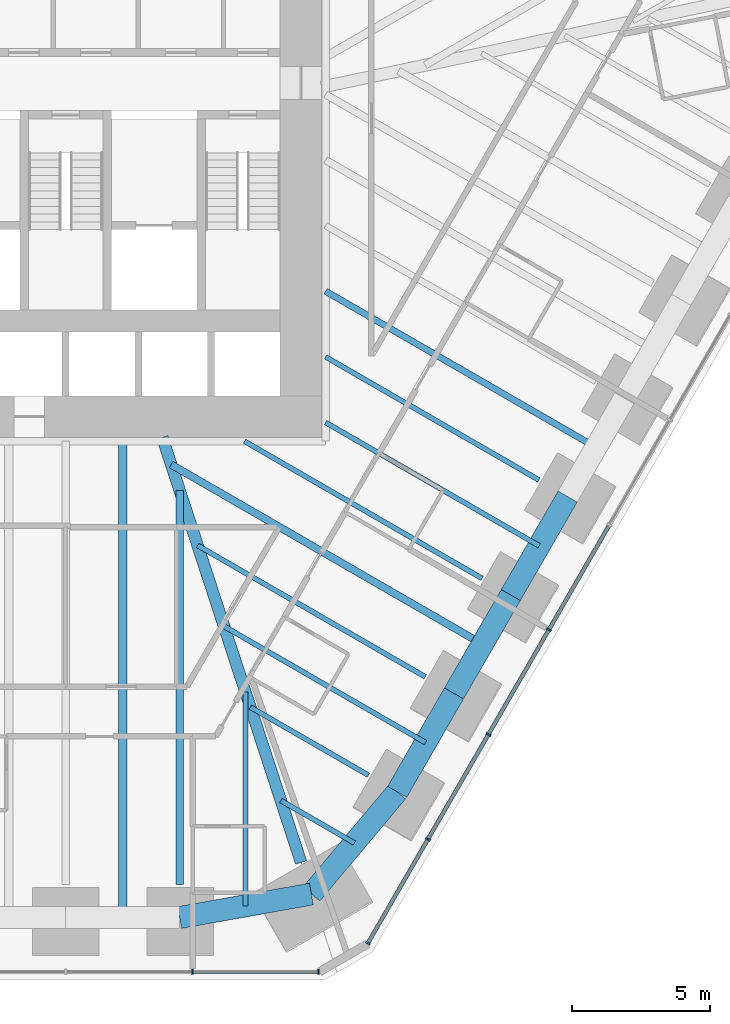
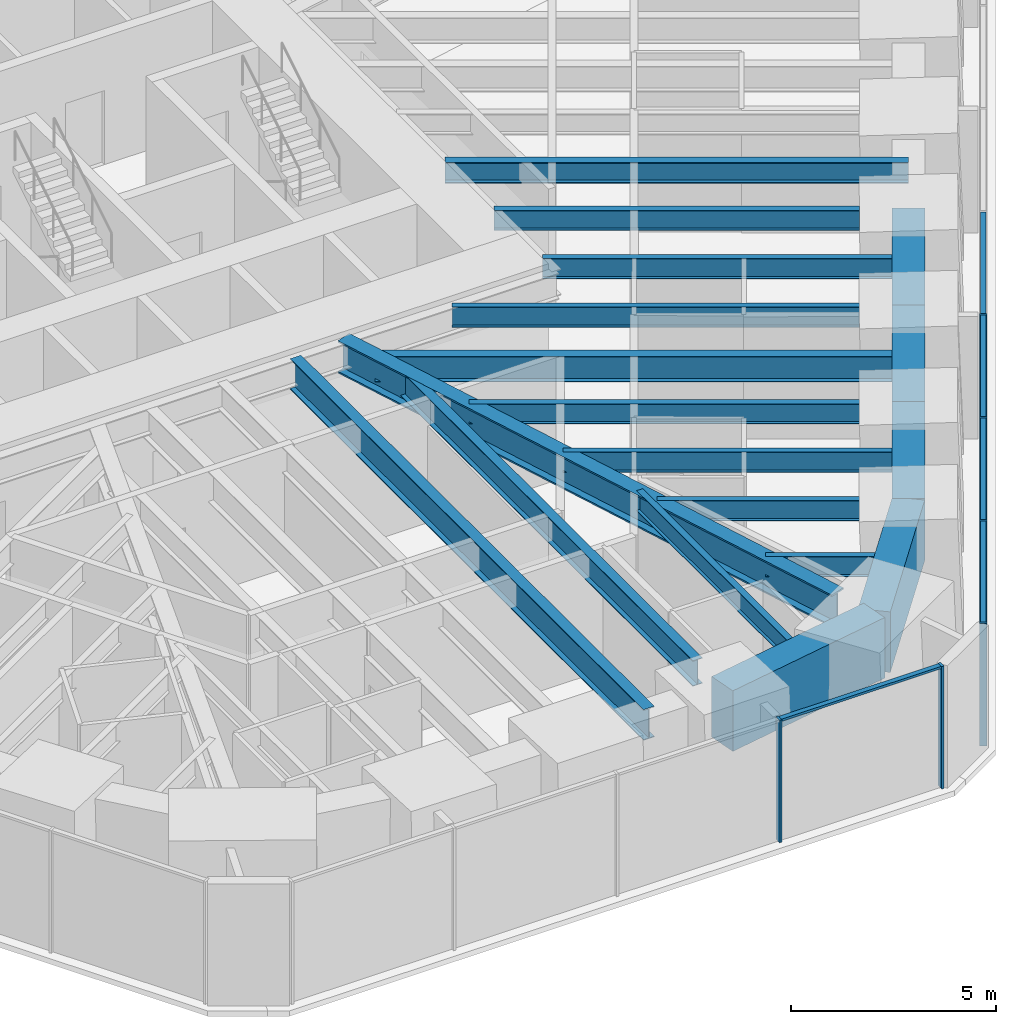
# One storey, part 5 of 17: 18 beams, 11 members, 2 elements without a shape of their own.
"""IFC4 building model written with IfcOpenShell, lengths in metres."""

from ifc_helpers import new_model, si_unit, direction, frame, origin, origin_2d, place, context, subcontext, project, spatial, rectangle, i_section, extrude, material, material_profile, profile_set, type_object, element, aggregate, save


model = new_model("IFC4")

# Units and contexts
model_context = context("Model", 3, precision=1e-05, world=origin(), true_north=direction((0.0, 1.0)))
body_context = subcontext(model_context, "Body", "Model", "MODEL_VIEW")
ifc_project = project(units=[si_unit("LENGTHUNIT", "METRE"), si_unit("AREAUNIT", "SQUARE_METRE"), si_unit("VOLUMEUNIT", "CUBIC_METRE"), si_unit("PLANEANGLEUNIT", "RADIAN"), si_unit("MASSUNIT", "GRAM", prefix="KILO")], contexts=[model_context])

# Site, building, storey
site_placement = place(None, origin())
site = spatial("IfcSite", under=ifc_project, at=site_placement, CompositionType="ELEMENT")
building_placement = place(site_placement, origin())
building = spatial("IfcBuilding", under=site, at=building_placement, Name="Sandreach Pilgrim Tower", CompositionType="ELEMENT")
storey_placement = place(building_placement, frame((0.0, 0.0, 68.60009765625)))
storey = spatial("IfcBuildingStorey", under=building, at=storey_placement, Name="L16", CompositionType="ELEMENT", Elevation=68.60009765625)

# Curtain wall, members
ifc_material_1 = material(Name="Aluminium framed curtain wall", Category="aluminium")
curtain_wall_type = type_object("IfcCurtainWallType", Name="Hostel tower curtain wall", PredefinedType="NOTDEFINED", material=ifc_material_1)
curtain_wall_1_placement = place(storey_placement, origin())
curtain_wall_1 = element("IfcCurtainWall", 1, at=curtain_wall_1_placement, inside=storey, type_object=curtain_wall_type, Name="CW-1 L16 SE", PredefinedType="NOTDEFINED")
ifc_material_2 = material(Name="Aluminium extrusion", Category="aluminium")
ifc_material_profile_1 = material_profile(ifc_material_2, rectangle(XDim=0.06494140625, YDim=0.179931640625, at=origin_2d()), Name="CW-1M 65X180")
ifc_profile_set_1 = profile_set([ifc_material_profile_1], Name="Aluminium extrusion")
member_type_1 = type_object("IfcMemberType", Name="CW-1 mullion", PredefinedType="MULLION", material=ifc_profile_set_1)
member_1_placement = place(storey_placement, frame((17.46142578125, -17.6533203125, 0.0), z_axis=(0.0, 0.0, 1.0), x_axis=(-0.5, -0.866025403784, 0.0)))
member_1 = element("IfcMember", 2, at=member_1_placement, type_object=member_type_1, Name="CW-1 mullion 7", PredefinedType="MULLION", context=body_context, shape_type="SweptSolid", body=[
    extrude(rectangle(XDim=0.06494140625, YDim=0.179931640625, at=origin_2d()), origin(), (0.0, 0.0, 1.0), 3.639892578125),
])
member_2_placement = place(storey_placement, frame((15.275634765625, -21.439208984375, 0.0), z_axis=(0.0, 0.0, 1.0), x_axis=(-0.5, -0.866025403784, 0.0)))
member_2 = element("IfcMember", 3, at=member_2_placement, type_object=member_type_1, Name="CW-1 mullion 8", PredefinedType="MULLION", context=body_context, shape_type="SweptSolid", body=[
    extrude(rectangle(XDim=0.06494140625, YDim=0.179931640625, at=origin_2d()), origin(), (0.0, 0.0, 1.0), 3.639892578125),
])
member_3_placement = place(storey_placement, frame((13.08984375, -25.22509765625, 0.0), z_axis=(0.0, 0.0, 1.0), x_axis=(-0.5, -0.866025403784, 0.0)))
member_3 = element("IfcMember", 4, at=member_3_placement, type_object=member_type_1, Name="CW-1 mullion 9", PredefinedType="MULLION", context=body_context, shape_type="SweptSolid", body=[
    extrude(rectangle(XDim=0.06494140625, YDim=0.179931640625, at=origin_2d()), origin(), (0.0, 0.0, 1.0), 3.639892578125),
])
member_4_placement = place(storey_placement, frame((10.92041015625, -28.982666015625, 0.0), z_axis=(0.0, 0.0, 1.0), x_axis=(-0.5, -0.866025403784, 0.0)))
member_4 = element("IfcMember", 5, at=member_4_placement, type_object=member_type_1, Name="CW-1 mullion 10", PredefinedType="MULLION", context=body_context, shape_type="SweptSolid", body=[
    extrude(rectangle(XDim=0.06494140625, YDim=0.179931640625, at=origin_2d()), origin(), (0.0, 0.0, 1.0), 3.639892578125),
])

curtain_wall_2_placement = place(storey_placement, origin())
curtain_wall_2 = element("IfcCurtainWall", 6, at=curtain_wall_2_placement, inside=storey, type_object=curtain_wall_type, Name="CW-1 L16 S", PredefinedType="NOTDEFINED")
member_5_placement = place(storey_placement, frame((9.1396484375, -30.010986328125, 0.0), z_axis=(0.0, 0.0, 1.0), x_axis=(-1.0, 0.0, 0.0)))
member_5 = element("IfcMember", 7, at=member_5_placement, type_object=member_type_1, Name="CW-1 mullion 1", PredefinedType="MULLION", context=body_context, shape_type="SweptSolid", body=[
    extrude(rectangle(XDim=0.06494140625, YDim=0.179931640625, at=origin_2d()), origin(), (0.0, 0.0, 1.0), 3.639892578125),
])
member_6_placement = place(storey_placement, frame((4.5859375, -30.010986328125, 0.0), z_axis=(0.0, 0.0, 1.0), x_axis=(-1.0, 0.0, 0.0)))
member_6 = element("IfcMember", 8, at=member_6_placement, type_object=member_type_1, Name="CW-1 mullion 2", PredefinedType="MULLION", context=body_context, shape_type="SweptSolid", body=[
    extrude(rectangle(XDim=0.06494140625, YDim=0.179931640625, at=origin_2d()), origin(), (0.0, 0.0, 1.0), 3.639892578125),
])

# Member
ifc_material_3 = material(Name="Aluminium extrusion", Category="aluminium")
ifc_material_profile_2 = material_profile(ifc_material_3, rectangle(XDim=0.139892578125, YDim=0.070068359375, at=origin_2d()), Name="CW-1T 140X70")
ifc_profile_set_2 = profile_set([ifc_material_profile_2], Name="Aluminium extrusion")
member_type_2 = type_object("IfcMemberType", Name="CW-1 transom", PredefinedType="USERDEFINED", material=ifc_profile_set_2)
member_7_placement = place(storey_placement, frame((19.631103515625, -13.8955078125, 3.60498046875), z_axis=(-0.500016891966, -0.866015650984, 0.0), x_axis=(0.866015650984, -0.500016891966, 0.0)))
member_7 = element("IfcMember", 9, at=member_7_placement, type_object=member_type_2, Name="CW-1 head transom 6", ObjectType="TRANSOM", PredefinedType="USERDEFINED", context=body_context, shape_type="SweptSolid", body=[
    extrude(rectangle(XDim=0.139892578125, YDim=0.070068359375, at=origin_2d()), origin(), (0.0, 0.0, 1.0), 4.306396484375),
])

member_8_placement = place(storey_placement, frame((17.4453125, -17.681396484375, 3.60498046875), z_axis=(-0.500016891966, -0.866015650984, 0.0), x_axis=(0.866015650984, -0.500016891966, 0.0)))
member_8 = element("IfcMember", 10, at=member_8_placement, type_object=member_type_2, Name="CW-1 head transom 7", ObjectType="TRANSOM", PredefinedType="USERDEFINED", context=body_context, shape_type="SweptSolid", body=[
    extrude(rectangle(XDim=0.139892578125, YDim=0.070068359375, at=origin_2d()), origin(), (0.0, 0.0, 1.0), 4.306396484375),
])

member_9_placement = place(storey_placement, frame((15.259521484375, -21.46728515625, 3.60498046875), z_axis=(-0.500016891966, -0.866015650984, 0.0), x_axis=(0.866015650984, -0.500016891966, 0.0)))
member_9 = element("IfcMember", 11, at=member_9_placement, type_object=member_type_2, Name="CW-1 head transom 8", ObjectType="TRANSOM", PredefinedType="USERDEFINED", context=body_context, shape_type="SweptSolid", body=[
    extrude(rectangle(XDim=0.139892578125, YDim=0.070068359375, at=origin_2d()), origin(), (0.0, 0.0, 1.0), 4.306396484375),
])

member_10_placement = place(storey_placement, frame((13.07373046875, -25.253173828125, 3.60498046875), z_axis=(-0.500033953635, -0.866005799756, 0.0), x_axis=(0.866005799756, -0.500033953635, 0.0)))
member_10 = element("IfcMember", 12, at=member_10_placement, type_object=member_type_2, Name="CW-1 head transom 9", ObjectType="TRANSOM", PredefinedType="USERDEFINED", context=body_context, shape_type="SweptSolid", body=[
    extrude(rectangle(XDim=0.139892578125, YDim=0.070068359375, at=origin_2d()), origin(), (0.0, 0.0, 1.0), 4.274169921875),
])

aggregate(curtain_wall_1, [member_1, member_2, member_3, member_4, member_7, member_8, member_9, member_10])

member_11_placement = place(storey_placement, frame((9.107177734375, -30.010986328125, 3.60498046875), z_axis=(-1.0, 0.0, 0.0), x_axis=(0.0, -1.0, 0.0)))
member_11 = element("IfcMember", 13, at=member_11_placement, type_object=member_type_2, Name="CW-1 head transom 1", ObjectType="TRANSOM", PredefinedType="USERDEFINED", context=body_context, shape_type="SweptSolid", body=[
    extrude(rectangle(XDim=0.139892578125, YDim=0.070068359375, at=origin_2d()), origin(), (0.0, 0.0, 1.0), 4.488525390625),
])

aggregate(curtain_wall_2, [member_5, member_6, member_11])

# Beams
ifc_material_4 = material(Name="Steel ASTM A992 Grade 50", Category="steel")
ifc_material_profile_3 = material_profile(ifc_material_4, i_section(OverallWidth=0.421630859375, OverallDepth=0.95751953125, WebThickness=0.02587890625, FlangeThickness=0.046875, at=origin_2d()), Name="W36X330")
ifc_profile_set_3 = profile_set([ifc_material_profile_3], Name="Steel ASTM A992 Grade 50")
beam_type_1 = type_object("IfcBeamType", Name="Corner girder W36X330", PredefinedType="BEAM", material=ifc_profile_set_3)
beam_1_placement = place(storey_placement, frame((8.508056640625, -26.064208984375, 3.1611328125), z_axis=(-0.310316814347, 0.950633196734, 0.0), x_axis=(-0.950633196734, -0.310316814347, 0.0)))
element("IfcBeam", 14, at=beam_1_placement, inside=storey, type_object=beam_type_1, Name="BM L16 CG22", PredefinedType="BEAM", context=body_context, shape_type="SweptSolid", body=[
    extrude(i_section(OverallWidth=0.421630859375, OverallDepth=0.95751953125, WebThickness=0.02587890625, FlangeThickness=0.046875, at=origin_2d()), origin(), (0.0, 0.0, 1.0), 16.162109375),
])
ifc_material_5 = material(Name="Steel ASTM A992 Grade 50", Category="steel")
ifc_material_profile_4 = material_profile(ifc_material_5, i_section(OverallWidth=0.1787109375, OverallDepth=0.60205078125, WebThickness=0.010986328125, FlangeThickness=0.014892578125, at=origin_2d()), Name="W24X62")
ifc_profile_set_4 = profile_set([ifc_material_profile_4], Name="Steel ASTM A992 Grade 50")
beam_type_2 = type_object("IfcBeamType", Name="Floor beam W24X62", PredefinedType="BEAM", material=ifc_profile_set_4)
beam_2_placement = place(storey_placement, frame((17.099609375, -12.2431640625, 3.3388671875), z_axis=(-0.866026131413, 0.499998739708, 0.0), x_axis=(-0.499998739708, -0.866026131413, 0.0)))
element("IfcBeam", 15, at=beam_2_placement, inside=storey, type_object=beam_type_2, Name="BM L16 F18", PredefinedType="BEAM", context=body_context, shape_type="SweptSolid", body=[
    extrude(i_section(OverallWidth=0.1787109375, OverallDepth=0.60205078125, WebThickness=0.010986328125, FlangeThickness=0.014892578125, at=origin_2d()), origin(), (0.0, 0.0, 1.0), 8.8984375),
])
beam_3_placement = place(storey_placement, frame((15.04638671875, -15.79931640625, 3.3388671875), z_axis=(-0.866021515814, 0.500006734102, 0.0), x_axis=(-0.500006734102, -0.866021515814, 0.0)))
element("IfcBeam", 16, at=beam_3_placement, inside=storey, type_object=beam_type_2, Name="BM L16 F19", PredefinedType="BEAM", context=body_context, shape_type="SweptSolid", body=[
    extrude(i_section(OverallWidth=0.1787109375, OverallDepth=0.60205078125, WebThickness=0.010986328125, FlangeThickness=0.014892578125, at=origin_2d()), origin(), (0.0, 0.0, 1.0), 9.911865234375),
])
beam_4_placement = place(storey_placement, frame((12.9931640625, -19.35546875, 3.3388671875), z_axis=(-0.866024630955, 0.500001338578, 0.0), x_axis=(-0.500001338578, -0.866024630955, 0.0)))
element("IfcBeam", 17, at=beam_4_placement, inside=storey, type_object=beam_type_2, Name="BM L16 F20", PredefinedType="BEAM", context=body_context, shape_type="SweptSolid", body=[
    extrude(i_section(OverallWidth=0.1787109375, OverallDepth=0.60205078125, WebThickness=0.010986328125, FlangeThickness=0.014892578125, at=origin_2d()), origin(), (0.0, 0.0, 1.0), 9.49755859375),
])
beam_5_placement = place(storey_placement, frame((10.940185546875, -22.91162109375, 3.3388671875), z_axis=(-0.86601964755, 0.500009969958, 0.0), x_axis=(-0.500009969958, -0.86601964755, 0.0)))
element("IfcBeam", 18, at=beam_5_placement, inside=storey, type_object=beam_type_2, Name="BM L16 F21", PredefinedType="BEAM", context=body_context, shape_type="SweptSolid", body=[
    extrude(i_section(OverallWidth=0.1787109375, OverallDepth=0.60205078125, WebThickness=0.010986328125, FlangeThickness=0.014892578125, at=origin_2d()), origin(), (0.0, 0.0, 1.0), 4.9248046875),
])
beam_6_placement = place(storey_placement, frame((17.1123046875, -14.621337890625, 3.3388671875), z_axis=(-0.86602639369, 0.499998285429, 0.0), x_axis=(-0.499998285429, -0.86602639369, 0.0)))
element("IfcBeam", 19, at=beam_6_placement, inside=storey, type_object=beam_type_2, Name="BM L16 FM18", PredefinedType="BEAM", context=body_context, shape_type="SweptSolid", body=[
    extrude(i_section(OverallWidth=0.1787109375, OverallDepth=0.60205078125, WebThickness=0.010986328125, FlangeThickness=0.014892578125, at=origin_2d()), origin(), (0.0, 0.0, 1.0), 8.9130859375),
])
beam_7_placement = place(storey_placement, frame((13.005859375, -21.733642578125, 3.3388671875), z_axis=(-0.866023174489, 0.500003861233, 0.0), x_axis=(-0.500003861233, -0.866023174489, 0.0)))
element("IfcBeam", 20, at=beam_7_placement, inside=storey, type_object=beam_type_2, Name="BM L16 FM20", PredefinedType="BEAM", context=body_context, shape_type="SweptSolid", body=[
    extrude(i_section(OverallWidth=0.1787109375, OverallDepth=0.60205078125, WebThickness=0.010986328125, FlangeThickness=0.014892578125, at=origin_2d()), origin(), (0.0, 0.0, 1.0), 8.4111328125),
])
beam_8_placement = place(storey_placement, frame((10.429931640625, -25.3583984375, 3.3388671875), z_axis=(-0.866016979766, 0.500014590545, 0.0), x_axis=(-0.500014590545, -0.866016979766, 0.0)))
element("IfcBeam", 21, at=beam_8_placement, inside=storey, type_object=beam_type_2, Name="BM L16 FM21", PredefinedType="BEAM", context=body_context, shape_type="SweptSolid", body=[
    extrude(i_section(OverallWidth=0.1787109375, OverallDepth=0.60205078125, WebThickness=0.010986328125, FlangeThickness=0.014892578125, at=origin_2d()), origin(), (0.0, 0.0, 1.0), 3.0625),
])
beam_9_placement = place(storey_placement, frame((6.500244140625, -27.62890625, 3.3388671875), z_axis=(0.0, 1.0, 0.0), x_axis=(-1.0, 0.0, 0.0)))
element("IfcBeam", 22, at=beam_9_placement, inside=storey, type_object=beam_type_2, Name="BM L16 FM22", PredefinedType="BEAM", context=body_context, shape_type="SweptSolid", body=[
    extrude(i_section(OverallWidth=0.1787109375, OverallDepth=0.60205078125, WebThickness=0.010986328125, FlangeThickness=0.014892578125, at=origin_2d()), origin(), (0.0, 0.0, 1.0), 7.7158203125),
])
ifc_material_6 = material(Name="Steel ASTM A992 Grade 50", Category="steel")
ifc_material_profile_5 = material_profile(ifc_material_6, i_section(OverallWidth=0.23046875, OverallDepth=0.6171875, WebThickness=0.01318359375, FlangeThickness=0.022216796875, at=origin_2d()), Name="W24X94")
ifc_profile_set_5 = profile_set([ifc_material_profile_5], Name="Steel ASTM A992 Grade 50")
beam_type_3 = type_object("IfcBeamType", Name="Floor beam W24X94", PredefinedType="BEAM", material=ifc_profile_set_5)
beam_10_placement = place(storey_placement, frame((19.165283203125, -11.065185546875, 3.331298828125), z_axis=(-0.866025608725, 0.499999645032, 0.0), x_axis=(-0.499999645032, -0.866025608725, 0.0)))
element("IfcBeam", 23, at=beam_10_placement, inside=storey, type_object=beam_type_3, Name="BM L16 FM17", PredefinedType="BEAM", context=body_context, shape_type="SweptSolid", body=[
    extrude(i_section(OverallWidth=0.23046875, OverallDepth=0.6171875, WebThickness=0.01318359375, FlangeThickness=0.022216796875, at=origin_2d()), origin(), (0.0, 0.0, 1.0), 11.28369140625),
])
ifc_material_7 = material(Name="Steel ASTM A992 Grade 50", Category="steel")
ifc_material_profile_6 = material_profile(ifc_material_7, i_section(OverallWidth=0.2666015625, OverallDepth=0.761962890625, WebThickness=0.014404296875, FlangeThickness=0.021484375, at=origin_2d()), Name="W30X116")
ifc_profile_set_6 = profile_set([ifc_material_profile_6], Name="Steel ASTM A992 Grade 50")
beam_type_4 = type_object("IfcBeamType", Name="Floor beam W30X116", PredefinedType="BEAM", material=ifc_profile_set_6)
beam_11_placement = place(storey_placement, frame((4.119873046875, -26.852783203125, 3.2587890625), z_axis=(0.0, 1.0, 0.0), x_axis=(-1.0, 0.0, 0.0)))
element("IfcBeam", 24, at=beam_11_placement, inside=storey, type_object=beam_type_4, Name="BM L16 F23", PredefinedType="BEAM", context=body_context, shape_type="SweptSolid", body=[
    extrude(i_section(OverallWidth=0.2666015625, OverallDepth=0.761962890625, WebThickness=0.014404296875, FlangeThickness=0.021484375, at=origin_2d()), origin(), (0.0, 0.0, 1.0), 14.23193359375),
])
beam_12_placement = place(storey_placement, frame((15.05908203125, -18.177490234375, 3.2587890625), z_axis=(-0.866022136417, 0.500005659204, 0.0), x_axis=(-0.500005659204, -0.866022136417, 0.0)))
element("IfcBeam", 25, at=beam_12_placement, inside=storey, type_object=beam_type_4, Name="BM L16 FM19", PredefinedType="BEAM", context=body_context, shape_type="SweptSolid", body=[
    extrude(i_section(OverallWidth=0.2666015625, OverallDepth=0.761962890625, WebThickness=0.014404296875, FlangeThickness=0.021484375, at=origin_2d()), origin(), (0.0, 0.0, 1.0), 12.984130859375),
])
ifc_material_8 = material(Name="Steel ASTM A992 Grade 50", Category="steel")
ifc_material_profile_7 = material_profile(ifc_material_8, i_section(OverallWidth=0.3046875, OverallDepth=0.914306640625, WebThickness=0.0166015625, FlangeThickness=0.02587890625, at=origin_2d()), Name="W36X160")
ifc_profile_set_7 = profile_set([ifc_material_profile_7], Name="Steel ASTM A992 Grade 50")
beam_type_5 = type_object("IfcBeamType", Name="Floor beam W36X160", PredefinedType="BEAM", material=ifc_profile_set_7)
beam_13_placement = place(storey_placement, frame((2.059814453125, -28.052734375, 3.1826171875), z_axis=(0.0, 1.0, 0.0), x_axis=(-1.0, 0.0, 0.0)))
element("IfcBeam", 26, at=beam_13_placement, inside=storey, type_object=beam_type_5, Name="BM L16 FM23", PredefinedType="BEAM", context=body_context, shape_type="SweptSolid", body=[
    extrude(i_section(OverallWidth=0.3046875, OverallDepth=0.914306640625, WebThickness=0.0166015625, FlangeThickness=0.02587890625, at=origin_2d()), origin(), (0.0, 0.0, 1.0), 17.20947265625),
])
ifc_material_9 = material(Name="Concrete 10000 psi", Category="concrete")
ifc_material_profile_8 = material_profile(ifc_material_9, rectangle(XDim=0.800048828125, YDim=1.800048828125, at=origin_2d()), Name="RC800X1800")
ifc_profile_set_8 = profile_set([ifc_material_profile_8], Name="Concrete 10000 psi")
beam_type_6 = type_object("IfcBeamType", Name="Spandrel beam RC800X1800", PredefinedType="SPANDREL", material=ifc_profile_set_8)
beam_14_placement = place(storey_placement, frame((18.138671875, -12.84326171875, 2.739990234375), z_axis=(-0.499969497581, -0.866043013648, 0.0), x_axis=(0.866043013648, -0.499969497581, 0.0)))
element("IfcBeam", 27, at=beam_14_placement, inside=storey, type_object=beam_type_6, Name="BM L16 SP18", PredefinedType="SPANDREL", context=body_context, shape_type="SweptSolid", body=[
    extrude(rectangle(XDim=0.800048828125, YDim=1.800048828125, at=origin_2d()), origin(), (0.0, 0.0, 1.0), 4.106201171875),
])
for number, where, z_axis, x_axis, name in (
    (28, (16.085693359375, -16.3994140625, 2.739990234375), (-0.500014089762, -0.866017268904, 0.0), (0.866017268904, -0.500014089762, 0.0), "BM L16 SP19"),
    (29, (14.032470703125, -19.95556640625, 2.739990234375), (-0.500014089762, -0.866017268904, 0.0), (0.866017268904, -0.500014089762, 0.0), "BM L16 SP20"),
):
    element("IfcBeam", number, at=place(storey_placement, frame(where, z_axis=z_axis, x_axis=x_axis)), inside=storey, type_object=beam_type_6, Name=name, PredefinedType="SPANDREL", context=body_context, shape_type="SweptSolid", body=[
        extrude(rectangle(XDim=0.800048828125, YDim=1.800048828125, at=origin_2d()), origin(), (0.0, 0.0, 1.0), 4.1064453125),
    ])
beam_15_placement = place(storey_placement, frame((11.979248046875, -23.51171875, 2.739990234375), z_axis=(-0.642760887892, -0.766066864573, 0.0), x_axis=(0.766066864573, -0.642760887892, 0.0)))
element("IfcBeam", 30, at=beam_15_placement, inside=storey, type_object=beam_type_6, Name="BM L16 SP21", PredefinedType="SPANDREL", context=body_context, shape_type="SweptSolid", body=[
    extrude(rectangle(XDim=0.800048828125, YDim=1.800048828125, at=origin_2d()), origin(), (0.0, 0.0, 1.0), 4.8212890625),
])
beam_16_placement = place(storey_placement, frame((8.88037109375, -27.205078125, 2.739990234375), z_axis=(-0.984514518143, -0.175303062054, 0.0), x_axis=(0.175303062054, -0.984514518143, 0.0)))
element("IfcBeam", 31, at=beam_16_placement, inside=storey, type_object=beam_type_6, Name="BM L16 SP22", PredefinedType="SPANDREL", context=body_context, shape_type="SweptSolid", body=[
    extrude(rectangle(XDim=0.800048828125, YDim=1.800048828125, at=origin_2d()), origin(), (0.0, 0.0, 1.0), 4.83544921875),
])

save(model, "model.ifc")
